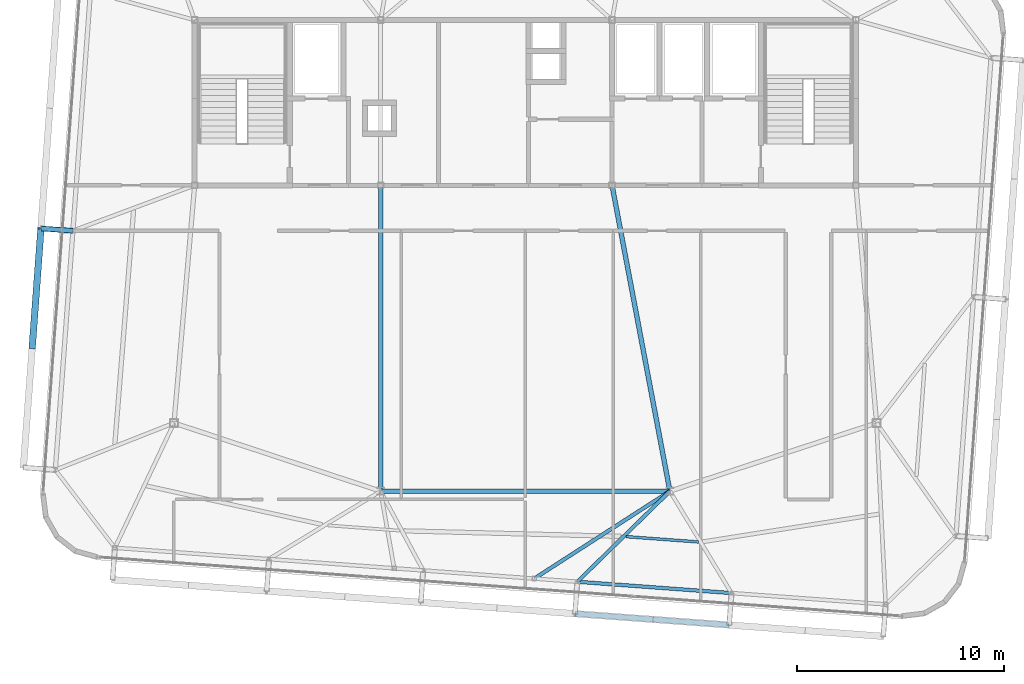
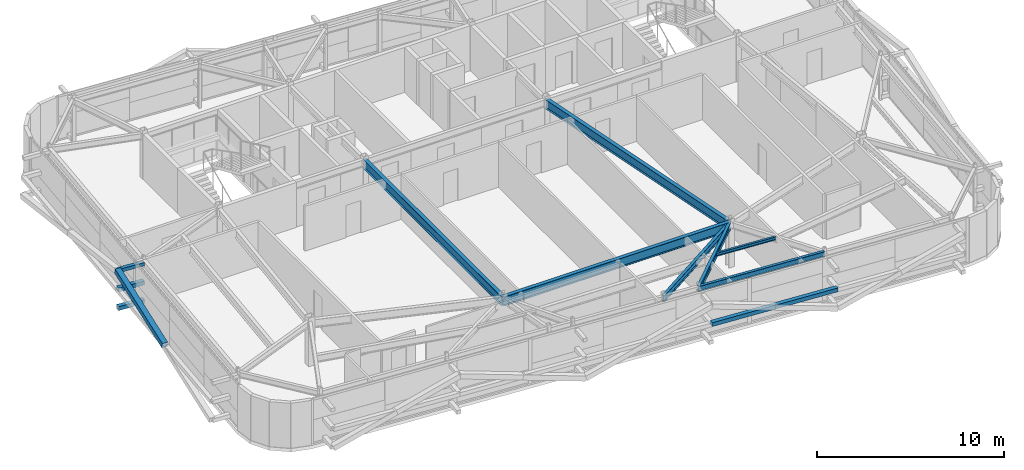
# One storey, part 12 of 34: 7 beams, 5 members.
"""IFC4 building model written with IfcOpenShell, lengths in metres."""

from ifc_helpers import new_model, si_unit, direction, frame, origin, origin_2d, place, context, subcontext, project, spatial, hollow_rectangle, i_section, extrude, source, transform, mapped, material, material_profile, profile_set, type_object, element, save


model = new_model("IFC4")

# Units and contexts
model_context = context("Model", 3, precision=1e-05, world=origin(), true_north=direction((0.0, 1.0)))
body_context = subcontext(model_context, "Body", "Model", "MODEL_VIEW")
ifc_project = project(units=[si_unit("LENGTHUNIT", "METRE"), si_unit("AREAUNIT", "SQUARE_METRE"), si_unit("VOLUMEUNIT", "CUBIC_METRE"), si_unit("PLANEANGLEUNIT", "RADIAN"), si_unit("MASSUNIT", "GRAM", prefix="KILO")], contexts=[model_context])

# Site, building, storey
site_placement = place(None, origin())
site = spatial("IfcSite", under=ifc_project, at=site_placement, CompositionType="ELEMENT")
building_placement = place(site_placement, origin())
building = spatial("IfcBuilding", under=site, at=building_placement, Name="Taldren Reach Tower", CompositionType="ELEMENT")
storey_placement = place(building_placement, frame((0.0, 0.0, 242.89990234375)))
storey = spatial("IfcBuildingStorey", under=building, at=storey_placement, Name="L74", CompositionType="ELEMENT", Elevation=242.89990234375)

# Beams
ifc_material_1 = material(Name="Steel Gr 350 (350PLUS)", Category="steel")
ifc_material_profile_1 = material_profile(ifc_material_1, i_section(OverallWidth=0.22802734375, OverallDepth=0.60205078125, WebThickness=0.010498046875, FlangeThickness=0.014892578125, at=origin_2d()), Name="610UB101")
ifc_profile_set_1 = profile_set([ifc_material_profile_1], Name="Steel Gr 350 (350PLUS)")
beam_type_1 = type_object("IfcBeamType", Name="BM-UB610B", PredefinedType="BEAM", material=ifc_profile_set_1)
shared_shape_1 = source(origin(), body_context, "Body", "SweptSolid", [
    extrude(i_section(OverallWidth=0.22802734375, OverallDepth=0.60205078125, WebThickness=0.010498046875, FlangeThickness=0.014892578125, at=origin_2d()), origin(), (0.0, 0.0, 1.0), 14.0),
])
beam_1_placement = place(storey_placement, frame((28.0, 9.199951171875, 2.629150390625), z_axis=(1.0, 0.0, 0.0), x_axis=(0.0, 1.0, 0.0)))
element("IfcBeam", 1, at=beam_1_placement, inside=storey, type_object=beam_type_1, Name="Core-spine girder L74-SP11", PredefinedType="BEAM", context=body_context, shape_type="MappedRepresentation", body=[
    mapped(shared_shape_1, transform((0.0, 0.0, 0.0), scale=1.0)),
])
shared_shape_2 = source(origin(), body_context, "Body", "SweptSolid", [
    extrude(i_section(OverallWidth=0.22802734375, OverallDepth=0.60205078125, WebThickness=0.010498046875, FlangeThickness=0.014892578125, at=origin_2d()), origin(), (0.0, 0.0, 1.0), 14.800048828125),
])
beam_2_placement = place(storey_placement, frame((28.0, 24.0, 2.629150390625), z_axis=(0.0, -1.0, 0.0), x_axis=(1.0, 0.0, 0.0)))
element("IfcBeam", 2, at=beam_2_placement, inside=storey, type_object=beam_type_1, Name="Core-spine girder L74-SP14", PredefinedType="BEAM", context=body_context, shape_type="MappedRepresentation", body=[
    mapped(shared_shape_2, transform((0.0, 0.0, 0.0), scale=1.0)),
])
shared_shape_3 = source(origin(), body_context, "Body", "SweptSolid", [
    extrude(i_section(OverallWidth=0.22802734375, OverallDepth=0.60205078125, WebThickness=0.010498046875, FlangeThickness=0.014892578125, at=origin_2d()), origin(), (0.0, 0.0, 1.0), 15.0625),
])
beam_3_placement = place(storey_placement, frame((39.199951171875, 24.0, 2.629150390625), z_axis=(0.185894205668, -0.982569765614, 0.0), x_axis=(0.982569765614, 0.185894205668, 0.0)))
element("IfcBeam", 3, at=beam_3_placement, inside=storey, type_object=beam_type_1, Name="Core-spine girder L74-SP15", PredefinedType="BEAM", context=body_context, shape_type="MappedRepresentation", body=[
    mapped(shared_shape_3, transform((0.0, 0.0, 0.0), scale=1.0)),
])
ifc_material_profile_2 = material_profile(ifc_material_1, i_section(OverallWidth=0.172119140625, OverallDepth=0.35888671875, WebThickness=0.008056640625, FlangeThickness=0.012939453125, at=origin_2d()), Name="360UB56.7")
ifc_profile_set_2 = profile_set([ifc_material_profile_2], Name="Steel Gr 350 (350PLUS)")
beam_type_2 = type_object("IfcBeamType", Name="SP-UB360", PredefinedType="SPANDREL", material=ifc_profile_set_2)
shared_shape_4 = source(origin(), body_context, "Body", "SweptSolid", [
    extrude(i_section(OverallWidth=0.172119140625, OverallDepth=0.35888671875, WebThickness=0.008056640625, FlangeThickness=0.012939453125, at=origin_2d()), origin(), (0.0, 0.0, 1.0), 7.479736328125),
])
beam_4_placement = place(storey_placement, frame((37.5205078125, 4.81689453125, 2.75048828125), z_axis=(0.997314045547, -0.073244075215, 0.0), x_axis=(0.073244075215, 0.997314045547, 0.0)))
element("IfcBeam", 4, at=beam_4_placement, inside=storey, type_object=beam_type_2, Name="Perimeter spandrel B5 S4-S5 L74", PredefinedType="SPANDREL", context=body_context, shape_type="MappedRepresentation", body=[
    mapped(shared_shape_4, transform((0.0, 0.0, 0.0), scale=1.0)),
])
ifc_material_profile_3 = material_profile(ifc_material_1, i_section(OverallWidth=0.177978515625, OverallDepth=0.406005859375, WebThickness=0.0078125, FlangeThickness=0.0126953125, at=origin_2d()), Name="410UB59.7")
ifc_profile_set_3 = profile_set([ifc_material_profile_3], Name="Steel Gr 350 (350PLUS)")
beam_type_3 = type_object("IfcBeamType", Name="BM-UB410", PredefinedType="BEAM", material=ifc_profile_set_3)
shared_shape_5 = source(origin(), body_context, "Body", "SweptSolid", [
    extrude(i_section(OverallWidth=0.177978515625, OverallDepth=0.406005859375, WebThickness=0.0078125, FlangeThickness=0.0126953125, at=origin_2d()), origin(), (0.0, 0.0, 1.0), 7.80908203125),
])
beam_5_placement = place(storey_placement, frame((42.0, 9.199951171875, 2.72705078125), z_axis=(-0.840564391699, -0.541711642304, 0.0), x_axis=(0.541711642304, -0.840564391699, 0.0)))
element("IfcBeam", 5, at=beam_5_placement, inside=storey, type_object=beam_type_3, Name="Primary floor girder B5-PJ2 L74", PredefinedType="BEAM", context=body_context, shape_type="MappedRepresentation", body=[
    mapped(shared_shape_5, transform((0.0, 0.0, 0.0), scale=1.0)),
])
shared_shape_6 = source(origin(), body_context, "Body", "SweptSolid", [
    extrude(i_section(OverallWidth=0.177978515625, OverallDepth=0.406005859375, WebThickness=0.0078125, FlangeThickness=0.0126953125, at=origin_2d()), origin(), (0.0, 0.0, 1.0), 6.26708984375),
])
beam_6_placement = place(storey_placement, frame((42.0, 9.199951171875, 2.72705078125), z_axis=(-0.71475866888, -0.699371178461, 0.0), x_axis=(0.699371178461, -0.71475866888, 0.0)))
element("IfcBeam", 6, at=beam_6_placement, inside=storey, type_object=beam_type_3, Name="Primary floor girder B5-S4 L74", PredefinedType="BEAM", context=body_context, shape_type="MappedRepresentation", body=[
    mapped(shared_shape_6, transform((0.0, 0.0, 0.0), scale=1.0)),
])
ifc_material_2 = material(Name="Steel Gr 300 (300PLUS, 300 MPa)", Category="steel")
ifc_material_profile_4 = material_profile(ifc_material_2, i_section(OverallWidth=0.134033203125, OverallDepth=0.20703125, WebThickness=0.00634765625, FlangeThickness=0.009521484375, at=origin_2d()), Name="200UB29.8")
ifc_profile_set_4 = profile_set([ifc_material_profile_4], Name="Steel Gr 300 (300PLUS, 300 MPa)")
beam_type_4 = type_object("IfcBeamType", Name="JS-UB200", PredefinedType="JOIST", material=ifc_profile_set_4)
shared_shape_7 = source(origin(), body_context, "Body", "SweptSolid", [
    extrude(i_section(OverallWidth=0.134033203125, OverallDepth=0.20703125, WebThickness=0.00634765625, FlangeThickness=0.009521484375, at=origin_2d()), origin(), (0.0, 0.0, 1.0), 3.51220703125),
])
beam_7_placement = place(storey_placement, frame((39.878662109375, 6.999755859375, 2.82666015625), z_axis=(0.997312333235, -0.073267386856, 0.0), x_axis=(0.073267386856, 0.997312333235, 0.0)))
element("IfcBeam", 7, at=beam_7_placement, inside=storey, type_object=beam_type_4, Name="Secondary floor joist B5 J4 L74", PredefinedType="JOIST", context=body_context, shape_type="MappedRepresentation", body=[
    mapped(shared_shape_7, transform((0.0, 0.0, 0.0), scale=1.0)),
])

# Members
ifc_material_3 = material(Name="Steel Gr 450 (C450L0)", Category="steel")
ifc_material_profile_5 = material_profile(ifc_material_3, hollow_rectangle(XDim=0.219970703125, YDim=0.219970703125, WallThickness=0.00830078125, at=origin_2d()), Name="220x220x8.2SHS")
ifc_profile_set_5 = profile_set([ifc_material_profile_5], Name="Steel Gr 450 (C450L0)")
member_type_1 = type_object("IfcMemberType", Name="MB-TIE219", PredefinedType="STRUT", material=ifc_profile_set_5)
shared_shape_8 = source(origin(), body_context, "Body", "SweptSolid", [
    extrude(hollow_rectangle(XDim=0.219970703125, YDim=0.219970703125, WallThickness=0.00830078125, at=origin_2d()), origin(), (0.0, 0.0, 1.0), 1.546142578125),
])
member_1_placement = place(storey_placement, frame((13.104736328125, 21.800537109375, 2.650146484375), z_axis=(-0.997312378271, 0.073266773831, 0.0), x_axis=(-0.073266773831, -0.997312378271, 0.0)))
element("IfcMember", 8, at=member_1_placement, inside=storey, type_object=member_type_1, Name="Exoskeleton diaphragm tie strut B5-W2 L74", PredefinedType="STRUT", context=body_context, shape_type="MappedRepresentation", body=[
    mapped(shared_shape_8, transform((0.0, 0.0, 0.0), scale=1.0)),
])
ifc_material_4 = material(Name="Steel Gr 350 (C350L0)", Category="steel")
ifc_material_profile_6 = material_profile(ifc_material_4, hollow_rectangle(XDim=0.25, YDim=0.25, WallThickness=0.010009765625, at=origin_2d()), Name="250x250x10.0SHS")
ifc_profile_set_6 = profile_set([ifc_material_profile_6], Name="Steel Gr 350 (C350L0)")
member_type_2 = type_object("IfcMemberType", Name="MB-POST250", PredefinedType="POST", material=ifc_profile_set_6)
shared_shape_9 = source(origin(), body_context, "Body", "SweptSolid", [
    extrude(hollow_rectangle(XDim=0.25, YDim=0.25, WallThickness=0.010009765625, at=origin_2d()), origin(), (0.0, 0.0, 1.0), 7.479736328125),
])
member_2_placement = place(storey_placement, frame((37.406982421875, 3.27099609375, 1.43505859375), z_axis=(0.997314045547, -0.073244075215, 0.0), x_axis=(0.073244075215, 0.997314045547, 0.0)))
element("IfcMember", 9, at=member_2_placement, inside=storey, type_object=member_type_2, Name="Exoskeleton mid-height ring chord B5-S4 L74", PredefinedType="POST", context=body_context, shape_type="MappedRepresentation", body=[
    mapped(shared_shape_9, transform((0.0, 0.0, 0.0), scale=1.0)),
])
ifc_material_profile_7 = material_profile(ifc_material_3, hollow_rectangle(XDim=0.324951171875, YDim=0.324951171875, WallThickness=0.0126953125, at=origin_2d()), Name="325x325x12.7SHS")
ifc_profile_set_7 = profile_set([ifc_material_profile_7], Name="Steel Gr 450 (C450L0)")
member_type_3 = type_object("IfcMemberType", Name="MB-BR324", PredefinedType="BRACE", material=ifc_profile_set_7)
shared_shape_10 = source(origin(), body_context, "Body", "SweptSolid", [
    extrude(hollow_rectangle(XDim=0.324951171875, YDim=0.324951171875, WallThickness=0.0126953125, at=origin_2d()), origin(), (0.0, 0.0, 1.0), 5.926025390625),
])
member_3_placement = place(storey_placement, frame((11.137939453125, 16.12939453125, 1.43505859375), z_axis=(0.071685935393, 0.976123486939, 0.205046494513), x_axis=(-0.997314185625, 0.073242167855, 0.0)))
element("IfcMember", 10, at=member_3_placement, inside=storey, type_object=member_type_3, Name="Exoskeleton Diagrid Brace B5-W1 L74", PredefinedType="BRACE", context=body_context, shape_type="MappedRepresentation", body=[
    mapped(shared_shape_10, transform((0.0, 0.0, 0.0), scale=1.0)),
])
shared_shape_11 = source(origin(), body_context, "Body", "SweptSolid", [
    extrude(hollow_rectangle(XDim=0.25, YDim=0.25, WallThickness=0.010009765625, at=origin_2d()), origin(), (0.0, 0.0, 1.0), 1.546142578125),
])
for number, where, z_axis, x_axis, name in (
    (11, (13.104736328125, 21.800537109375, 0.22021484375), (-0.997312378271, 0.073266773831, 0.0), (-0.073266773831, -0.997312378271, 0.0), "Exoskeleton base diaphragm tie strut B5-W2 L74"),
    (12, (13.104736328125, 21.800537109375, 1.43505859375), (-0.997312378271, 0.073266773831, 0.0), (-0.073266773831, -0.997312378271, 0.0), "Exoskeleton mid-tier diaphragm tie B5-W2 L74"),
):
    element("IfcMember", number, at=place(storey_placement, frame(where, z_axis=z_axis, x_axis=x_axis)), inside=storey, type_object=member_type_2, Name=name, PredefinedType="POST", context=body_context, shape_type="MappedRepresentation", body=[
        mapped(shared_shape_11, transform((0.0, 0.0, 0.0), scale=1.0)),
    ])

save(model, "model.ifc")
